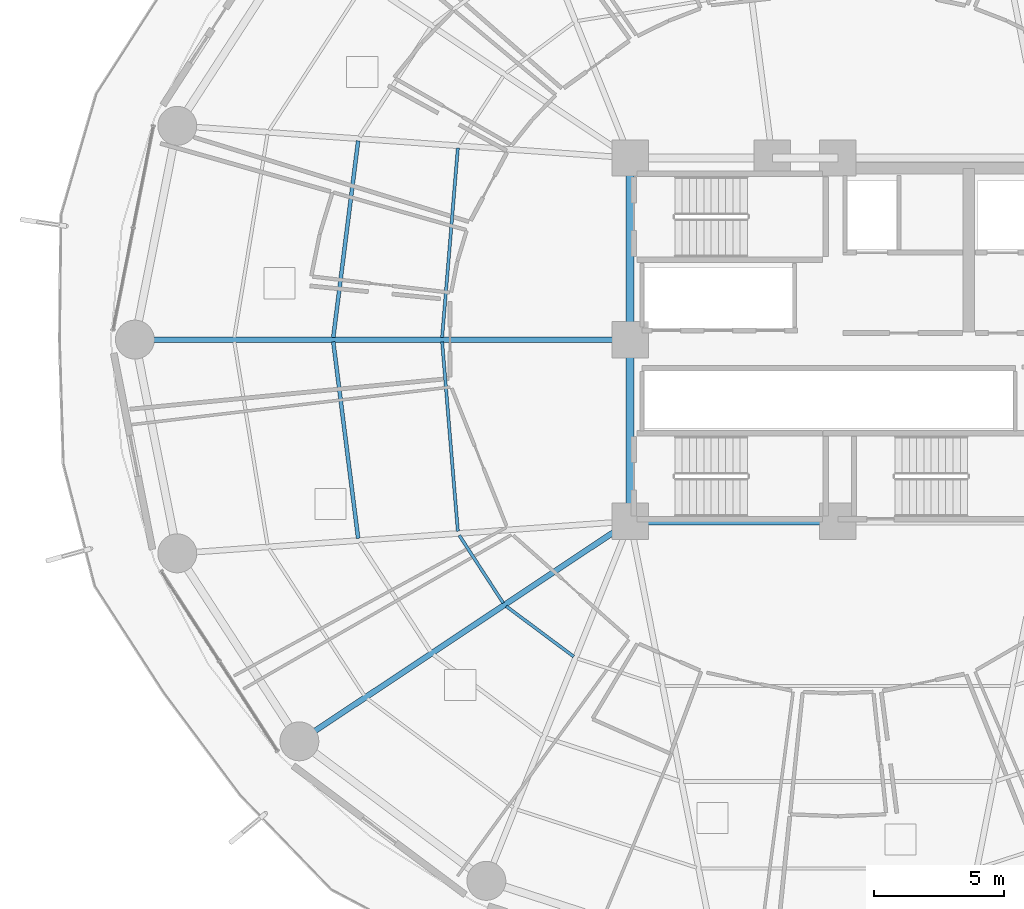
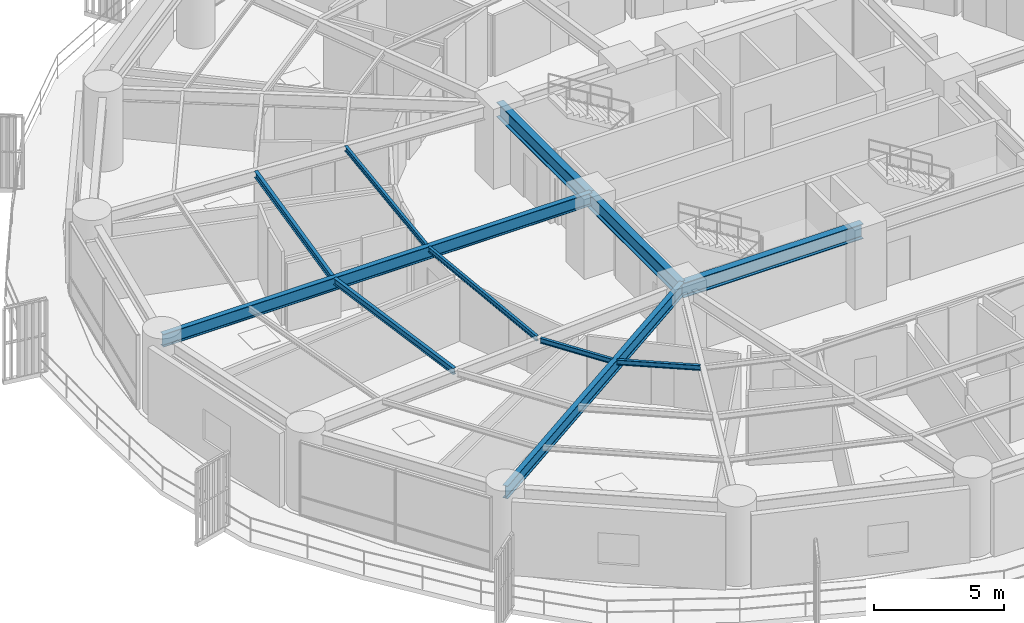
# One storey, part 7 of 32: 11 beams.
"""IFC4 building model written with IfcOpenShell, lengths in metres."""

import ifcopenshell
import ifcopenshell.guid

model = None  # the IFC model being written
_history = None  # IfcOwnerHistory: only IFC2X3 demands one
_inside = {}  # id of a spatial element -> (the spatial element, [elements in it])
_under = {}  # id of a project, library or spatial element -> (it, [spatial elements below it])
_declared = {}  # id of a project -> (the project, [libraries it declares])
_typed = {}  # id of a type object -> (the type object, [elements of that type])
_made_of = {}  # id of a material, layer set ... -> (it, [elements and type objects made of it])


def new_model(schema):
    """Start an empty IFC model of exactly this schema.

    Asked for "IFC4X3", IfcOpenShell would pick the latest addendum, in which some entities
    have other attributes; the version numbers below select the first issue.
    IFC2X3 requires an IfcOwnerHistory on every rooted entity: one is made here for all.
    """
    global model, _history
    if schema == "IFC4X3":
        model = ifcopenshell.file(schema_version=(4, 3, 0, 0))
    else:
        model = ifcopenshell.file(schema=schema)
    _inside.clear()
    _under.clear()
    _declared.clear()
    _typed.clear()
    _made_of.clear()
    _history = None
    if model.schema == "IFC2X3":
        org = make("IfcOrganization", Name="unknown")
        user = make(
            "IfcPersonAndOrganization",
            ThePerson=make("IfcPerson", FamilyName="unknown"),
            TheOrganization=org,
        )
        app = make(
            "IfcApplication",
            ApplicationDeveloper=org,
            Version="unknown",
            ApplicationFullName="unknown",
            ApplicationIdentifier="unknown",
        )
        _history = make(
            "IfcOwnerHistory",
            OwningUser=user,
            OwningApplication=app,
            ChangeAction="ADDED",
            CreationDate=0,
        )
    return model


def make(cls, **values):
    """One entity of the class cls with the attributes given. An attribute that is None is left unset."""
    return model.create_entity(
        cls, **{name: value for name, value in values.items() if value is not None}
    )


def rooted(cls, **values):
    """An entity with a GlobalId (a new one), such as an element, a storey or a relation."""
    return make(cls, GlobalId=ifcopenshell.guid.new(), OwnerHistory=_history, **values)


def si_unit(unit_type, name, prefix=None):
    """IfcSIUnit, for example si_unit("LENGTHUNIT", "METRE", prefix="MILLI")."""
    return make("IfcSIUnit", UnitType=unit_type, Prefix=prefix, Name=name)


def assignment(units):
    """IfcUnitAssignment: the units of a project."""
    return None if units is None else make("IfcUnitAssignment", Units=units)


def point(xyz):
    """IfcCartesianPoint."""
    return None if xyz is None else make("IfcCartesianPoint", Coordinates=xyz)


def direction(xyz):
    """IfcDirection."""
    return None if xyz is None else make("IfcDirection", DirectionRatios=xyz)


def frame(location, z_axis=None, x_axis=None):
    """IfcAxis2Placement3D, a coordinate frame: its origin and axes. An axis left out is left unset."""
    return make(
        "IfcAxis2Placement3D",
        Location=point(location),
        Axis=direction(z_axis),
        RefDirection=direction(x_axis),
    )


def frame_2d(location, x_axis=None):
    """IfcAxis2Placement2D, a coordinate frame in the plane: its origin and x axis."""
    return make(
        "IfcAxis2Placement2D", Location=point(location), RefDirection=direction(x_axis)
    )


def origin():
    """The frame at (0, 0, 0) with its axes left unset."""
    return frame((0.0, 0.0, 0.0))


def origin_2d():
    """The frame at (0, 0) in the plane with its x axis left unset."""
    return frame_2d((0.0, 0.0))


def place(relative_to, where):
    """IfcLocalPlacement: puts the frame where relative to a parent placement (None: the world)."""
    return make(
        "IfcLocalPlacement", PlacementRelTo=relative_to, RelativePlacement=where
    )


def context(
    kind, dimensions, precision=None, world=None, true_north=None, identifier=None
):
    """IfcGeometricRepresentationContext, for example the 3D "Model" context."""
    return make(
        "IfcGeometricRepresentationContext",
        ContextIdentifier=identifier,
        ContextType=kind,
        CoordinateSpaceDimension=dimensions,
        Precision=precision,
        WorldCoordinateSystem=world,
        TrueNorth=true_north,
    )


def subcontext(parent, identifier, kind, view, scale=None):
    """IfcGeometricRepresentationSubContext, for example "Body" below "Model"."""
    return make(
        "IfcGeometricRepresentationSubContext",
        ContextIdentifier=identifier,
        ContextType=kind,
        ParentContext=parent,
        TargetScale=scale,
        TargetView=view,
    )


def project(units=None, contexts=None):
    """IfcProject with its units and contexts."""
    return rooted(
        "IfcProject",
        Name="project",
        RepresentationContexts=contexts,
        UnitsInContext=assignment(units),
    )


def spatial(cls, under=None, at=None, **own):
    """A site, building, storey or space (cls), placed at a placement, below another one or the project."""
    s = rooted(cls, ObjectPlacement=at, **own)
    if under is not None:
        _under.setdefault(under.id(), (under, []))[1].append(s)
    return s


def profile(cls, at=None, kind="AREA", **sizes):
    """A parametric profile (cls). Its sizes go by their IFC names, for example OverallWidth=200.0."""
    return make(cls, ProfileType=kind, Position=at, **sizes)


def i_section(**sizes):
    """IfcIShapeProfileDef."""
    return profile("IfcIShapeProfileDef", **sizes)


def extrude(swept, where, along, depth):
    """IfcExtrudedAreaSolid: the profile swept, set in the frame where, extruded along a direction by depth."""
    return make(
        "IfcExtrudedAreaSolid",
        SweptArea=swept,
        Position=where,
        ExtrudedDirection=direction(along),
        Depth=depth,
    )


def shape(context_of_items, identifier, shape_type, items):
    """IfcShapeRepresentation: the items that make up one representation, for example the "Body"."""
    return make(
        "IfcShapeRepresentation",
        ContextOfItems=context_of_items,
        RepresentationIdentifier=identifier,
        RepresentationType=shape_type,
        Items=items,
    )


def material(Name=None, Category=None):
    """IfcMaterial."""
    return make("IfcMaterial", Name=Name, Category=Category)


def material_profile(
    of_material, cross_section, Name=None, Category=None, Priority=None
):
    """IfcMaterialProfile: a cross section and its material."""
    return make(
        "IfcMaterialProfile",
        Name=Name,
        Material=of_material,
        Profile=cross_section,
        Priority=Priority,
        Category=Category,
    )


def profile_set(profiles, Name=None, composite=None):
    """IfcMaterialProfileSet."""
    return make(
        "IfcMaterialProfileSet",
        Name=Name,
        MaterialProfiles=profiles,
        CompositeProfile=composite,
    )


def made_of(thing, what):
    """Note that an element or type object is made of a material, layer set ...; save() writes the relation."""
    if what is not None:
        _made_of.setdefault(what.id(), (what, []))[1].append(thing)
    return thing


def type_object(cls, material=None, **own):
    """A type object (cls), such as IfcWallType, which elements share."""
    return made_of(rooted(cls, **own), material)


def element(
    cls,
    number,
    at=None,
    inside=None,
    cuts=None,
    type_object=None,
    material=None,
    context=None,
    identifier="Body",
    shape_type=None,
    held_by="IfcProductDefinitionShape",
    body=None,
    shapes=None,
    **own,
):
    """One element of the class cls, such as IfcWall. Its Tag is "e" and its number.

    at: its placement. inside: the storey or other place that contains it. cuts: it is an
    opening in that element (IfcRelVoidsElement). A single representation is given by context,
    identifier, shape_type and body (its items); several are given by shapes. held_by: the class
    of the entity that holds the representations. save() writes the other relations.
    """
    e = rooted(cls, Tag="e%d" % number, ObjectPlacement=at, **own)
    if body is not None:
        shapes = [shape(context, identifier, shape_type, body)]
    if shapes is not None:
        e.Representation = make(held_by, Representations=shapes)
    if inside is not None:
        _inside.setdefault(inside.id(), (inside, []))[1].append(e)
    if cuts is not None:
        rooted(
            "IfcRelVoidsElement", RelatingBuildingElement=cuts, RelatedOpeningElement=e
        )
    if type_object is not None:
        _typed.setdefault(type_object.id(), (type_object, []))[1].append(e)
    return made_of(e, material)


def aggregate(whole, parts):
    """IfcRelAggregates: a whole, such as a stair, and the parts it consists of."""
    return rooted("IfcRelAggregates", RelatingObject=whole, RelatedObjects=parts)


def save(model, path):
    """Write the relations noted so far, then the file.

    IfcRelAggregates (storeys below a building ...), IfcRelContainedInSpatialStructure (elements
    in a storey), IfcRelDefinesByType, IfcRelAssociatesMaterial and IfcRelDeclares: one each for
    every whole, place, type object, material and project.
    """
    for whole, parts in _under.values():
        aggregate(whole, parts)
    for where, things in _inside.values():
        rooted(
            "IfcRelContainedInSpatialStructure",
            RelatedElements=things,
            RelatingStructure=where,
        )
    for kind, things in _typed.values():
        rooted("IfcRelDefinesByType", RelatedObjects=things, RelatingType=kind)
    for what, things in _made_of.values():
        rooted("IfcRelAssociatesMaterial", RelatedObjects=things, RelatingMaterial=what)
    for by, libraries in _declared.values():
        rooted("IfcRelDeclares", RelatingContext=by, RelatedDefinitions=libraries)
    model.write(path)


model = new_model("IFC4")

# Units and contexts
model_context = context("Model", 3, precision=1e-05, world=origin(), true_north=direction((0.0, 1.0)))
body_context = subcontext(model_context, "Body", "Model", "MODEL_VIEW")
ifc_project = project(units=[si_unit("LENGTHUNIT", "METRE"), si_unit("AREAUNIT", "SQUARE_METRE"), si_unit("VOLUMEUNIT", "CUBIC_METRE"), si_unit("PLANEANGLEUNIT", "RADIAN"), si_unit("MASSUNIT", "GRAM", prefix="KILO")], contexts=[model_context])

# Site, building, storey
site_placement = place(None, origin())
site = spatial("IfcSite", under=ifc_project, at=site_placement, CompositionType="ELEMENT")
building_placement = place(site_placement, origin())
building = spatial("IfcBuilding", under=site, at=building_placement, Name="Kelanora Arch Commons", CompositionType="ELEMENT")
storey_placement = place(building_placement, frame((0.0, 0.0, 52.5)))
storey = spatial("IfcBuildingStorey", under=building, at=storey_placement, Name="L13", CompositionType="ELEMENT", Elevation=52.5)

# Beams
ifc_material = material(Name="Steel S355", Category="steel")
ifc_material_profile_1 = material_profile(ifc_material, i_section(OverallWidth=0.300048828125, OverallDepth=0.699951171875, WebThickness=0.01708984375, FlangeThickness=0.031982421875, FilletRadius=0.027099609375, at=origin_2d()), Name="HEB700")
ifc_profile_set_1 = profile_set([ifc_material_profile_1], Name="Steel S355")
beam_type_1 = type_object("IfcBeamType", Name="BM-CORE-HDR", PredefinedType="BEAM", material=ifc_profile_set_1)
beam_1_placement = place(storey_placement, frame((66.0, 51.0, 3.139892578125), z_axis=(1.0, 0.0, 0.0), x_axis=(0.0, 1.0, 0.0)))
element("IfcBeam", 1, at=beam_1_placement, inside=storey, type_object=beam_type_1, Name="Core Header Beam 01 L13", PredefinedType="BEAM", context=body_context, shape_type="SweptSolid", body=[
    extrude(i_section(OverallWidth=0.300048828125, OverallDepth=0.699951171875, WebThickness=0.01708984375, FlangeThickness=0.031982421875, FilletRadius=0.027099609375, at=origin_2d()), origin(), (0.0, 0.0, 1.0), 8.0),
])
for number, where, z_axis, x_axis, name in (
    (2, (66.0, 65.0, 3.139892578125), (0.0, -1.0, 0.0), (1.0, 0.0, 0.0), "Core Header Beam 08 L13"),
    (3, (66.0, 58.0, 3.139892578125), (0.0, -1.0, 0.0), (1.0, 0.0, 0.0), "Core Header Beam 09 L13"),
):
    element("IfcBeam", number, at=place(storey_placement, frame(where, z_axis=z_axis, x_axis=x_axis)), inside=storey, type_object=beam_type_1, Name=name, PredefinedType="BEAM", context=body_context, shape_type="SweptSolid", body=[
        extrude(i_section(OverallWidth=0.300048828125, OverallDepth=0.699951171875, WebThickness=0.01708984375, FlangeThickness=0.031982421875, FilletRadius=0.027099609375, at=origin_2d()), origin(), (0.0, 0.0, 1.0), 7.0),
    ])
ifc_material_profile_2 = material_profile(ifc_material, i_section(OverallWidth=0.14990234375, OverallDepth=0.300048828125, WebThickness=0.007080078125, FlangeThickness=0.0107421875, FilletRadius=0.014892578125, at=origin_2d()), Name="IPE300")
ifc_profile_set_2 = profile_set([ifc_material_profile_2], Name="Steel S355")
beam_type_2 = type_object("IfcBeamType", Name="BM-JST-01", PredefinedType="JOIST", material=ifc_profile_set_2)
for number, where, z_axis, x_axis, name in (
    (4, (55.521240234375, 65.6572265625, 3.340087890625), (-0.125565841651, -0.992085288375, 0.0), (0.992085288375, -0.125565841651, 0.0), "Secondary Chord Joist BJB-16 L13"),
    (5, (54.562744140625, 57.915771484375, 3.340087890625), (0.125565841651, -0.992085288375, 0.0), (0.992085288375, 0.125565841651, 0.0), "Secondary Chord Joist BJB-18 L13"),
):
    element("IfcBeam", number, at=place(storey_placement, frame(where, z_axis=z_axis, x_axis=x_axis)), inside=storey, type_object=beam_type_2, Name=name, PredefinedType="JOIST", context=body_context, shape_type="SweptSolid", body=[
        extrude(i_section(OverallWidth=0.14990234375, OverallDepth=0.300048828125, WebThickness=0.007080078125, FlangeThickness=0.0107421875, FilletRadius=0.014892578125, at=origin_2d()), origin(), (0.0, 0.0, 1.0), 7.63330078125),
    ])
ifc_material_profile_3 = material_profile(ifc_material, i_section(OverallWidth=0.1201171875, OverallDepth=0.239990234375, WebThickness=0.006103515625, FlangeThickness=0.009765625, FilletRadius=0.014892578125, at=origin_2d()), Name="IPE240")
ifc_profile_set_3 = profile_set([ifc_material_profile_3], Name="Steel S355")
beam_type_3 = type_object("IfcBeamType", Name="BM-JST-02", PredefinedType="JOIST", material=ifc_profile_set_3)
for number, where, z_axis, x_axis, name in (
    (6, (59.363037109375, 65.385009765625, 3.3701171875), (-0.082786209886, -0.996567330115, 0.0), (0.996567330115, -0.082786209886, 0.0), "Secondary Chord Joist BJA-16 L13"),
    (7, (58.756591796875, 57.915283203125, 3.3701171875), (0.082786209886, -0.996567330115, 0.0), (0.996567330115, 0.082786209886, 0.0), "Secondary Chord Joist BJA-18 L13"),
):
    element("IfcBeam", number, at=place(storey_placement, frame(where, z_axis=z_axis, x_axis=x_axis)), inside=storey, type_object=beam_type_3, Name=name, PredefinedType="JOIST", context=body_context, shape_type="SweptSolid", body=[
        extrude(i_section(OverallWidth=0.1201171875, OverallDepth=0.239990234375, WebThickness=0.006103515625, FlangeThickness=0.009765625, FilletRadius=0.014892578125, at=origin_2d()), origin(), (0.0, 0.0, 1.0), 7.325439453125),
    ])
beam_2_placement = place(storey_placement, frame((59.41650390625, 50.458984375, 3.3701171875), z_axis=(0.544591105858, -0.838701691557, 0.0), x_axis=(0.838701691557, 0.544591105858, 0.0)))
element("IfcBeam", 8, at=beam_2_placement, inside=storey, type_object=beam_type_3, Name="Secondary Chord Joist BJA-20 L13", PredefinedType="JOIST", context=body_context, shape_type="SweptSolid", body=[
    extrude(i_section(OverallWidth=0.1201171875, OverallDepth=0.239990234375, WebThickness=0.006103515625, FlangeThickness=0.009765625, FilletRadius=0.014892578125, at=origin_2d()), origin(), (0.0, 0.0, 1.0), 3.111328125),
])
beam_3_placement = place(storey_placement, frame((61.22509765625, 47.727294921875, 3.3701171875), z_axis=(0.801513822608, -0.59797624716, 0.0), x_axis=(0.59797624716, 0.801513822608, 0.0)))
element("IfcBeam", 9, at=beam_3_placement, inside=storey, type_object=beam_type_3, Name="Secondary Chord Joist BJA-22 L13", PredefinedType="JOIST", context=body_context, shape_type="SweptSolid", body=[
    extrude(i_section(OverallWidth=0.1201171875, OverallDepth=0.239990234375, WebThickness=0.006103515625, FlangeThickness=0.009765625, FilletRadius=0.014892578125, at=origin_2d()), origin(), (0.0, 0.0, 1.0), 3.245849609375),
])
ifc_material_profile_4 = material_profile(ifc_material, i_section(OverallWidth=0.219970703125, OverallDepth=0.60009765625, WebThickness=0.011962890625, FlangeThickness=0.01904296875, FilletRadius=0.02392578125, at=origin_2d()), Name="IPE600")
ifc_profile_set_4 = profile_set([ifc_material_profile_4], Name="Steel S355")
beam_type_4 = type_object("IfcBeamType", Name="BM-RAD-Z1", PredefinedType="BEAM", material=ifc_profile_set_4)
beam_4_placement = place(storey_placement, frame((66.0, 58.0, 3.18994140625), z_axis=(-1.0, 0.0, 0.0), x_axis=(0.0, -1.0, 0.0)))
element("IfcBeam", 10, at=beam_4_placement, inside=storey, type_object=beam_type_4, Name="Radial Floor Girder BR-18 L13", PredefinedType="BEAM", context=body_context, shape_type="SweptSolid", body=[
    extrude(i_section(OverallWidth=0.219970703125, OverallDepth=0.60009765625, WebThickness=0.011962890625, FlangeThickness=0.01904296875, FilletRadius=0.02392578125, at=origin_2d()), origin(), (0.0, 0.0, 1.0), 19.080078125),
])
beam_5_placement = place(storey_placement, frame((66.0, 51.0, 3.18994140625), z_axis=(-0.832592187754, -0.553886494591, 0.0), x_axis=(0.553886494591, -0.832592187754, 0.0)))
element("IfcBeam", 11, at=beam_5_placement, inside=storey, type_object=beam_type_4, Name="Radial Floor Girder BR-22 L13", PredefinedType="BEAM", context=body_context, shape_type="SweptSolid", body=[
    extrude(i_section(OverallWidth=0.219970703125, OverallDepth=0.60009765625, WebThickness=0.011962890625, FlangeThickness=0.01904296875, FilletRadius=0.02392578125, at=origin_2d()), origin(), (0.0, 0.0, 1.0), 15.306884765625),
])

save(model, "model.ifc")
